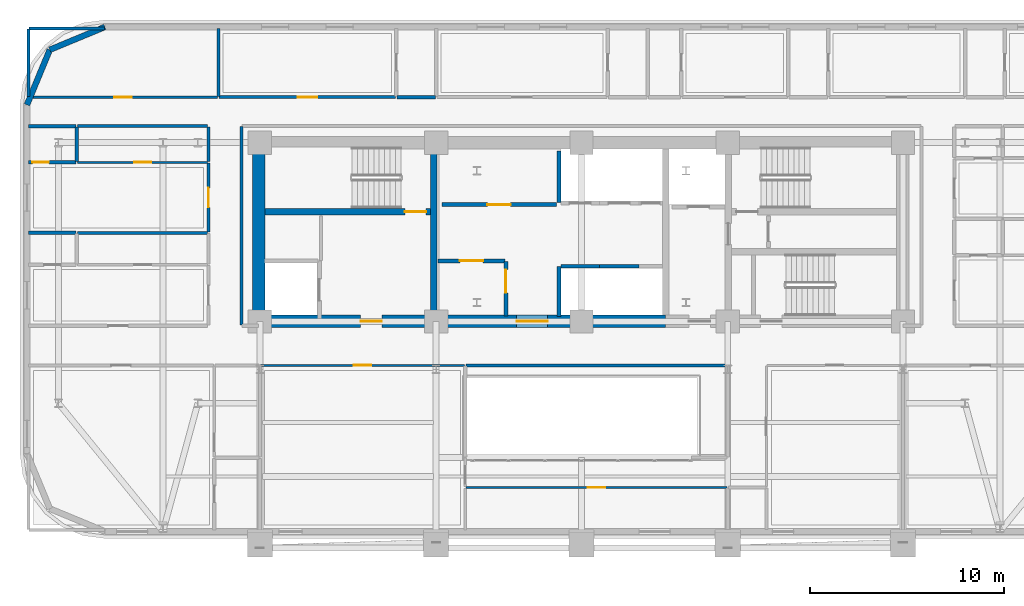
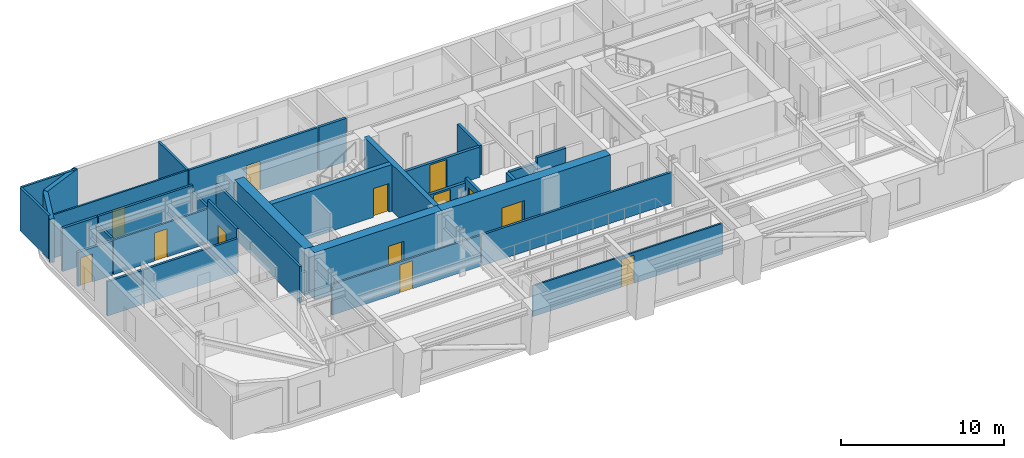
# One storey, part 8 of 14: 33 walls, 13 doors, 13 openings.
"""IFC4 building model written with IfcOpenShell, lengths in metres."""

from ifc_helpers import new_model, si_unit, direction, frame, frame_2d, origin, place, context, subcontext, project, spatial, rectangle, extrude, material, layer, layer_set, type_object, element, fill, save


model = new_model("IFC4")

# Units and contexts
model_context = context("Model", 3, precision=1e-05, world=origin(), true_north=direction((0.0, 1.0)))
body_context = subcontext(model_context, "Body", "Model", "MODEL_VIEW")
ifc_project = project(units=[si_unit("LENGTHUNIT", "METRE"), si_unit("AREAUNIT", "SQUARE_METRE"), si_unit("VOLUMEUNIT", "CUBIC_METRE"), si_unit("PLANEANGLEUNIT", "RADIAN"), si_unit("MASSUNIT", "GRAM", prefix="KILO")], contexts=[model_context])

# Site, building, storey
site_placement = place(None, origin())
site = spatial("IfcSite", under=ifc_project, at=site_placement, CompositionType="ELEMENT")
building_placement = place(site_placement, origin())
building = spatial("IfcBuilding", under=site, at=building_placement, Name="Zarnavel Station Tower", CompositionType="ELEMENT")
storey_placement = place(building_placement, frame((0.0, 0.0, 108.300048828125)))
storey = spatial("IfcBuildingStorey", under=building, at=storey_placement, Name="L29", CompositionType="ELEMENT", Elevation=108.300048828125)

# Wall
ifc_material_1 = material(Name="Concrete C50/60", Category="concrete")
ifc_layer_1 = layer(ifc_material_1, 0.35009765625)
ifc_layer_set_1 = layer_set([ifc_layer_1], Name="CW_350")
wall_type_1 = type_object("IfcWallType", Name="CW_350", PredefinedType="SHEAR", material=ifc_layer_set_1)
wall_1_placement = place(storey_placement, frame((21.179931640625, 28.14501953125, 0.0), z_axis=(0.0, 0.0, 1.0), x_axis=(0.0, 1.0, 0.0)))
element("IfcWall", 1, at=wall_1_placement, inside=storey, type_object=wall_type_1, Name="L29 Rear Core Shear Wall DIV-W", PredefinedType="SHEAR", context=body_context, shape_type="SweptSolid", body=[
    extrude(rectangle(XDim=8.580078125, YDim=0.35009765625, at=frame_2d((4.2900390625, 0.0))), origin(), (0.0, 0.0, 1.0), 3.5),
])

# Wall, opening, door
wall_2_placement = place(storey_placement, frame((21.0048828125, 33.47998046875, 0.0), z_axis=(0.0, 0.0, 1.0), x_axis=(-1.0, 0.0, 0.0)))
wall_2 = element("IfcWall", 2, at=wall_2_placement, inside=storey, type_object=wall_type_1, Name="L29 Rear Core Shear Wall DIV-H1", PredefinedType="SHEAR", context=body_context, shape_type="SweptSolid", body=[
    extrude(rectangle(XDim=8.52978515625, YDim=0.35009765625, at=frame_2d((4.264892578125, 0.0))), origin(), (0.0, 0.0, 1.0), 3.5),
])
opening_1_placement = place(wall_2_placement, frame((0.219970703125, 0.0, 0.0)))
opening_1 = element("IfcOpeningElement", 3, at=opening_1_placement, cuts=wall_2, Name="Opening FD01", PredefinedType="OPENING", context=body_context, shape_type="SweptSolid", body=[
    extrude(rectangle(XDim=1.10009765625, YDim=2.14990234375, at=frame_2d((0.550048828125, 1.074951171875))), frame((0.0, 0.18505859375, 0.0), z_axis=(0.0, -1.0, 0.0), x_axis=(1.0, 0.0, 0.0)), (0.0, 0.0, 1.0), 0.3701171875),
])
ifc_material_2 = material(Name="Painted Galvanised Steel and Hardwood Leaf", Category="steel")
door_type_1 = type_object("IfcDoorType", Name="ID_STAIR_1100", OperationType="NOTDEFINED", PredefinedType="DOOR", material=ifc_material_2)
door_1_placement = place(opening_1_placement, origin())
door_1 = element("IfcDoor", 4, at=door_1_placement, inside=storey, type_object=door_type_1, Name="L29 Stair ST1 Lobby Fire Door", OperationType="SINGLE_SWING_LEFT", OverallHeight=2.14990234375, OverallWidth=1.10009765625, PredefinedType="DOOR", context=body_context, shape_type="SweptSolid", body=[
    extrude(rectangle(XDim=1.10009765625, YDim=2.14990234375, at=frame_2d((0.550048828125, 1.074951171875))), frame((0.0, 0.02490234375, 0.0), z_axis=(0.0, -1.0, 0.0), x_axis=(1.0, 0.0, 0.0)), (0.0, 0.0, 1.0), 0.050048828125),
])
fill(opening_1, door_1)

ifc_material_3 = material(Name="Concrete C60/75", Category="concrete")
ifc_layer_2 = layer(ifc_material_3, 0.64990234375)
ifc_layer_set_2 = layer_set([ifc_layer_2], Name="CW_650")
wall_type_2 = type_object("IfcWallType", Name="CW_650", PredefinedType="SHEAR", material=ifc_layer_set_2)
wall_3_placement = place(storey_placement, frame((21.179931640625, 27.820068359375, 0.0), z_axis=(0.0, 0.0, 1.0), x_axis=(-1.0, 0.0, 0.0)))
wall_3 = element("IfcWall", 5, at=wall_3_placement, inside=storey, type_object=wall_type_2, Name="L29 Rear Core Shear Wall S-W", PredefinedType="SHEAR", context=body_context, shape_type="SweptSolid", body=[
    extrude(rectangle(XDim=9.030029296875, YDim=0.64990234375, at=frame_2d((4.51513671875, 0.0))), origin(), (0.0, 0.0, 1.0), 3.5),
])
opening_2_placement = place(wall_3_placement, frame((2.679931640625, 0.0, 0.0)))
opening_2 = element("IfcOpeningElement", 6, at=opening_2_placement, cuts=wall_3, Name="Opening FD01", PredefinedType="OPENING", context=body_context, shape_type="SweptSolid", body=[
    extrude(rectangle(XDim=1.10009765625, YDim=2.14990234375, at=frame_2d((0.550048828125, 1.074951171875))), frame((0.0, 0.3349609375, 0.0), z_axis=(0.0, -1.0, 0.0), x_axis=(1.0, 0.0, 0.0)), (0.0, 0.0, 1.0), 0.669921875),
])
door_2_placement = place(opening_2_placement, origin())
door_2 = element("IfcDoor", 7, at=door_2_placement, inside=storey, type_object=door_type_1, Name="L29 West Firefighting Lobby Door", OperationType="SINGLE_SWING_RIGHT", OverallHeight=2.14990234375, OverallWidth=1.10009765625, PredefinedType="DOOR", context=body_context, shape_type="SweptSolid", body=[
    extrude(rectangle(XDim=1.10009765625, YDim=2.14990234375, at=frame_2d((0.550048828125, 1.074951171875))), frame((0.0, 0.02490234375, 0.0), z_axis=(0.0, -1.0, 0.0), x_axis=(1.0, 0.0, 0.0)), (0.0, 0.0, 1.0), 0.050048828125),
])
fill(opening_2, door_2)

wall_4_placement = place(storey_placement, frame((33.14990234375, 27.820068359375, 0.0), z_axis=(0.0, 0.0, 1.0), x_axis=(-1.0, 0.0, 0.0)))
wall_4 = element("IfcWall", 8, at=wall_4_placement, inside=storey, type_object=wall_type_2, Name="L29 Rear Core Shear Wall S-M", PredefinedType="SHEAR", context=body_context, shape_type="SweptSolid", body=[
    extrude(rectangle(XDim=11.969970703125, YDim=0.64990234375, at=frame_2d((5.98486328125, 0.0))), origin(), (0.0, 0.0, 1.0), 3.5),
])
opening_3_placement = place(wall_4_placement, frame((6.10009765625, 0.0, 0.0)))
opening_3 = element("IfcOpeningElement", 9, at=opening_3_placement, cuts=wall_4, Name="Opening ID03", PredefinedType="OPENING", context=body_context, shape_type="SweptSolid", body=[
    extrude(rectangle(XDim=1.60009765625, YDim=2.199951171875, at=frame_2d((0.800048828125, 1.10009765625))), frame((0.0, 0.3349609375, 0.0), z_axis=(0.0, -1.0, 0.0), x_axis=(1.0, 0.0, 0.0)), (0.0, 0.0, 1.0), 0.669921875),
])
ifc_material_4 = material(Name="Painted Galvanised Steel and Hardwood Leaf", Category="steel")
door_type_2 = type_object("IfcDoorType", Name="ID_PUBLIC_1600", OperationType="DOUBLE_DOOR_SINGLE_SWING", PredefinedType="DOOR", material=ifc_material_4)
door_3_placement = place(opening_3_placement, origin())
door_3 = element("IfcDoor", 10, at=door_3_placement, inside=storey, type_object=door_type_2, Name="L29 Passenger Lift Lobby Double Door", OperationType="SINGLE_SWING_LEFT", OverallHeight=2.199951171875, OverallWidth=1.60009765625, PredefinedType="DOOR", context=body_context, shape_type="SweptSolid", body=[
    extrude(rectangle(XDim=1.60009765625, YDim=2.199951171875, at=frame_2d((0.800048828125, 1.10009765625))), frame((0.0, 0.02490234375, 0.0), z_axis=(0.0, -1.0, 0.0), x_axis=(1.0, 0.0, 0.0)), (0.0, 0.0, 1.0), 0.050048828125),
])
fill(opening_3, door_3)

# Walls
wall_5_placement = place(storey_placement, frame((12.14990234375, 28.14501953125, 0.0), z_axis=(0.0, 0.0, 1.0), x_axis=(0.0, 1.0, 0.0)))
element("IfcWall", 11, at=wall_5_placement, inside=storey, type_object=wall_type_2, Name="L29 Rear Core Shear Wall W", PredefinedType="SHEAR", context=body_context, shape_type="SweptSolid", body=[
    extrude(rectangle(XDim=8.580078125, YDim=0.64990234375, at=frame_2d((4.2900390625, 0.0))), origin(), (0.0, 0.0, 1.0), 3.5),
])
ifc_material_5 = material(Name="Precast concrete C45/55 (Dark Basalt Finish)", Category="masonry")
ifc_layer_3 = layer(ifc_material_5, 0.300048828125)
ifc_layer_set_3 = layer_set([ifc_layer_3], Name="EW_BASALT_300")
wall_type_3 = type_object("IfcWallType", Name="EW_BASALT_300", PredefinedType="SOLIDWALL", material=ifc_layer_set_3)
for number, where, z_axis, x_axis, name in (
    (12, (1.357421875, 41.842529296875, 0.0), (0.0, 0.0, 1.0), (0.923870793506, 0.382704529509, 0.0), "L29 Exterior Basalt Masonry Frame Wall 07"),
    (13, (0.179931640625, 39.0, 0.0), (0.0, 0.0, 1.0), (0.382704529509, 0.923870793506, 0.0), "L29 Exterior Basalt Masonry Frame Wall 08"),
):
    element("IfcWall", number, at=place(storey_placement, frame(where, z_axis=z_axis, x_axis=x_axis)), inside=storey, type_object=wall_type_3, Name=name, PredefinedType="SOLIDWALL", context=body_context, shape_type="SweptSolid", body=[
        extrude(rectangle(XDim=3.07666015625, YDim=0.300048828125, at=frame_2d((1.538330078125, 0.0))), origin(), (0.0, 0.0, 1.0), 3.239990234375),
    ])

# Wall, opening, door
ifc_material_6 = material(Name="Gypsum Twin-Stud Acoustic Fire Partition", Category="concrete")
ifc_layer_4 = layer(ifc_material_6, 0.159912109375)
ifc_layer_set_4 = layer_set([ifc_layer_4], Name="PT_DEMISE_160")
wall_type_4 = type_object("IfcWallType", Name="PT_DEMISE_160", PredefinedType="PARTITIONING", material=ifc_layer_set_4)
wall_6_placement = place(storey_placement, frame((9.550048828125, 32.430908203125, 0.0), z_axis=(0.0, 0.0, 1.0), x_axis=(0.0, 1.0, 0.0)))
wall_6 = element("IfcWall", 14, at=wall_6_placement, inside=storey, type_object=wall_type_4, Name="L29 Partition COR-W-FNW2R", PredefinedType="PARTITIONING", context=body_context, shape_type="SweptSolid", body=[
    extrude(rectangle(XDim=3.55615234375, YDim=0.159912109375, at=frame_2d((1.778076171875, 0.0))), origin(), (0.0, 0.0, 1.0), 3.239990234375),
])
opening_4_placement = place(wall_6_placement, frame((1.278076171875, 0.0, 0.0)))
opening_4 = element("IfcOpeningElement", 15, at=opening_4_placement, cuts=wall_6, Name="Opening FD02", PredefinedType="OPENING", context=body_context, shape_type="SweptSolid", body=[
    extrude(rectangle(XDim=1.0, YDim=2.14990234375, at=frame_2d((0.5, 1.074951171875))), frame((0.0, 0.08984375, 0.0), z_axis=(0.0, -1.0, 0.0), x_axis=(1.0, 0.0, 0.0)), (0.0, 0.0, 1.0), 0.179931640625),
])
ifc_material_7 = material(Name="Painted Galvanised Steel and Hardwood Leaf", Category="steel")
door_type_3 = type_object("IfcDoorType", Name="ID_ENTRY_1000", OperationType="NOTDEFINED", PredefinedType="DOOR", material=ifc_material_7)
door_4_placement = place(opening_4_placement, origin())
door_4 = element("IfcDoor", 16, at=door_4_placement, inside=storey, type_object=door_type_3, Name="L29 Door COR-W-FNW2R", OperationType="SINGLE_SWING_LEFT", OverallHeight=2.14990234375, OverallWidth=1.0, PredefinedType="DOOR", context=body_context, shape_type="SweptSolid", body=[
    extrude(rectangle(XDim=1.0, YDim=2.14990234375, at=frame_2d((0.5, 1.074951171875))), frame((0.0, 0.02490234375, 0.0), z_axis=(0.0, -1.0, 0.0), x_axis=(1.0, 0.0, 0.0)), (0.0, 0.0, 1.0), 0.050048828125),
])
fill(opening_4, door_4)

# Walls
wall_7_placement = place(storey_placement, frame((9.550048828125, 36.06689453125, 0.0), z_axis=(0.0, 0.0, 1.0), x_axis=(0.0, 1.0, 0.0)))
element("IfcWall", 17, at=wall_7_placement, inside=storey, type_object=wall_type_4, Name="L29 Partition COR-W-FNW2S", PredefinedType="PARTITIONING", context=body_context, shape_type="SweptSolid", body=[
    extrude(rectangle(XDim=1.793212890625, YDim=0.159912109375, at=frame_2d((0.896484375, 0.0))), origin(), (0.0, 0.0, 1.0), 2.719970703125),
])
wall_8_placement = place(storey_placement, frame((2.800048828125, 37.89990234375, 0.0), z_axis=(0.0, 0.0, 1.0), x_axis=(1.0, 0.0, 0.0)))
element("IfcWall", 18, at=wall_8_placement, inside=storey, type_object=wall_type_4, Name="L29 Partition COR-N-FNW2S", PredefinedType="PARTITIONING", context=body_context, shape_type="SweptSolid", body=[
    extrude(rectangle(XDim=6.7099609375, YDim=0.159912109375, at=frame_2d((3.35498046875, 0.0))), origin(), (0.0, 0.0, 1.0), 3.239990234375),
])

# Wall, opening, door
wall_9_placement = place(storey_placement, frame((10.10009765625, 39.39990234375, 0.0), z_axis=(0.0, 0.0, 1.0), x_axis=(1.0, 0.0, 0.0)))
wall_9 = element("IfcWall", 19, at=wall_9_placement, inside=storey, type_object=wall_type_4, Name="L29 Partition COR-N-HN1R", PredefinedType="PARTITIONING", context=body_context, shape_type="SweptSolid", body=[
    extrude(rectangle(XDim=9.10986328125, YDim=0.159912109375, at=frame_2d((4.554931640625, 0.0))), origin(), (0.0, 0.0, 1.0), 3.239990234375),
])
opening_5_placement = place(wall_9_placement, frame((4.054931640625, 0.0, 0.0)))
opening_5 = element("IfcOpeningElement", 20, at=opening_5_placement, cuts=wall_9, Name="Opening FD02", PredefinedType="OPENING", context=body_context, shape_type="SweptSolid", body=[
    extrude(rectangle(XDim=1.0, YDim=2.14990234375, at=frame_2d((0.5, 1.074951171875))), frame((0.0, 0.08984375, 0.0), z_axis=(0.0, -1.0, 0.0), x_axis=(1.0, 0.0, 0.0)), (0.0, 0.0, 1.0), 0.179931640625),
])
door_5_placement = place(opening_5_placement, origin())
door_5 = element("IfcDoor", 21, at=door_5_placement, inside=storey, type_object=door_type_3, Name="L29 Door COR-N-HN1R", OperationType="SINGLE_SWING_LEFT", OverallHeight=2.14990234375, OverallWidth=1.0, PredefinedType="DOOR", context=body_context, shape_type="SweptSolid", body=[
    extrude(rectangle(XDim=1.0, YDim=2.14990234375, at=frame_2d((0.5, 1.074951171875))), frame((0.0, 0.02490234375, 0.0), z_axis=(0.0, -1.0, 0.0), x_axis=(1.0, 0.0, 0.0)), (0.0, 0.0, 1.0), 0.050048828125),
])
fill(opening_5, door_5)

# Walls
wall_10_placement = place(storey_placement, frame((2.800048828125, 32.39111328125, 0.0), z_axis=(0.0, 0.0, 1.0), x_axis=(1.0, 0.0, 0.0)))
element("IfcWall", 22, at=wall_10_placement, inside=storey, type_object=wall_type_4, Name="L29 Partition FNW1S-FNW2R", PredefinedType="PARTITIONING", context=body_context, shape_type="SweptSolid", body=[
    extrude(rectangle(XDim=6.7099609375, YDim=0.159912109375, at=frame_2d((3.35498046875, 0.0))), origin(), (0.0, 0.0, 1.0), 2.570068359375),
])
wall_11_placement = place(storey_placement, frame((10.06005859375, 39.43994140625, 0.0), z_axis=(0.0, 0.0, 1.0), x_axis=(0.0, 1.0, 0.0)))
element("IfcWall", 23, at=wall_11_placement, inside=storey, type_object=wall_type_4, Name="L29 Partition HSKP-HN1R", PredefinedType="PARTITIONING", context=body_context, shape_type="SweptSolid", body=[
    extrude(rectangle(XDim=3.5, YDim=0.159912109375, at=frame_2d((1.75, 0.0))), origin(), (0.0, 0.0, 1.0), 3.239990234375),
])
wall_12_placement = place(storey_placement, frame((22.830078125, 25.550048828125, 0.0), z_axis=(0.0, 0.0, 1.0), x_axis=(1.0, 0.0, 0.0)))
element("IfcWall", 24, at=wall_12_placement, inside=storey, type_object=wall_type_4, Name="L29 Enclosure Wall COR-S", PredefinedType="PARTITIONING", context=body_context, shape_type="SweptSolid", body=[
    extrude(rectangle(XDim=13.489990234375, YDim=0.159912109375, at=frame_2d((6.7451171875, 0.0))), origin(), (0.0, 0.0, 1.0), 2.31005859375),
])
wall_13_placement = place(storey_placement, frame((11.25, 27.6298828125, 0.0), z_axis=(0.0, 0.0, 1.0), x_axis=(0.0, 1.0, 0.0)))
element("IfcWall", 25, at=wall_13_placement, inside=storey, type_object=wall_type_4, Name="L29 Enclosure Wall COR-W", PredefinedType="PARTITIONING", context=body_context, shape_type="SweptSolid", body=[
    extrude(rectangle(XDim=10.240234375, YDim=0.159912109375, at=frame_2d((5.1201171875, 0.0))), origin(), (0.0, 0.0, 1.0), 2.719970703125),
])
wall_14_placement = place(storey_placement, frame((0.2900390625, 42.93994140625, 0.0), z_axis=(0.0, 0.0, 1.0), x_axis=(1.0, 0.0, 0.0)))
element("IfcWall", 26, at=wall_14_placement, inside=storey, type_object=wall_type_4, Name="L29 Enclosure Wall HSKP", PredefinedType="PARTITIONING", context=body_context, shape_type="SweptSolid", body=[
    extrude(rectangle(XDim=3.8798828125, YDim=0.159912109375, at=frame_2d((1.93994140625, 0.0))), origin(), (0.0, 0.0, 1.0), 3.239990234375),
])
wall_15_placement = place(storey_placement, frame((0.260009765625, 39.429931640625, 0.0), z_axis=(0.0, 0.0, 1.0), x_axis=(0.0, 1.0, 0.0)))
element("IfcWall", 27, at=wall_15_placement, inside=storey, type_object=wall_type_4, Name="L29 Enclosure Wall HSKP", PredefinedType="PARTITIONING", context=body_context, shape_type="SweptSolid", body=[
    extrude(rectangle(XDim=3.47998046875, YDim=0.159912109375, at=frame_2d((1.739990234375, 0.0))), origin(), (0.0, 0.0, 1.0), 3.239990234375),
])

# Wall, opening, door
ifc_material_8 = material(Name="Gypsum Metal-Stud Interior Partition", Category="concrete")
ifc_layer_5 = layer(ifc_material_8, 0.1201171875)
ifc_layer_set_5 = layer_set([ifc_layer_5], Name="PT_ROOM_120")
wall_type_5 = type_object("IfcWallType", Name="PT_ROOM_120", PredefinedType="PARTITIONING", material=ifc_layer_set_5)
wall_16_placement = place(storey_placement, frame((12.239990234375, 25.550048828125, 0.0), z_axis=(0.0, 0.0, 1.0), x_axis=(1.0, 0.0, 0.0)))
wall_16 = element("IfcWall", 28, at=wall_16_placement, inside=storey, type_object=wall_type_5, Name="L29 Partition COR-S-L29STD", PredefinedType="PARTITIONING", context=body_context, shape_type="SweptSolid", body=[
    extrude(rectangle(XDim=10.52001953125, YDim=0.1201171875, at=frame_2d((5.260009765625, 0.0))), origin(), (0.0, 0.0, 1.0), 2.31005859375),
])
opening_6_placement = place(wall_16_placement, frame((4.81005859375, 0.0, 0.0)))
opening_6 = element("IfcOpeningElement", 29, at=opening_6_placement, cuts=wall_16, Name="Opening ID01", PredefinedType="OPENING", context=body_context, shape_type="SweptSolid", body=[
    extrude(rectangle(XDim=0.89990234375, YDim=2.10009765625, at=frame_2d((0.449951171875, 1.050048828125))), frame((0.0, 0.070068359375, 0.0), z_axis=(0.0, -1.0, 0.0), x_axis=(1.0, 0.0, 0.0)), (0.0, 0.0, 1.0), 0.14013671875),
])
ifc_material_9 = material(Name="Painted Galvanised Steel and Hardwood Leaf", Category="steel")
door_type_4 = type_object("IfcDoorType", Name="ID_ROOM_900", OperationType="NOTDEFINED", PredefinedType="DOOR", material=ifc_material_9)
door_6_placement = place(opening_6_placement, origin())
door_6 = element("IfcDoor", 30, at=door_6_placement, inside=storey, type_object=door_type_4, Name="L29 Door COR-S-L29STD", OperationType="SINGLE_SWING_RIGHT", OverallHeight=2.10009765625, OverallWidth=0.89990234375, PredefinedType="DOOR", context=body_context, shape_type="SweptSolid", body=[
    extrude(rectangle(XDim=0.89990234375, YDim=2.10009765625, at=frame_2d((0.449951171875, 1.050048828125))), frame((0.0, 0.02490234375, 0.0), z_axis=(0.0, -1.0, 0.0), x_axis=(1.0, 0.0, 0.0)), (0.0, 0.0, 1.0), 0.050048828125),
])
fill(opening_6, door_6)

wall_17_placement = place(storey_placement, frame((0.260009765625, 39.39990234375, 0.0), z_axis=(0.0, 0.0, 1.0), x_axis=(1.0, 0.0, 0.0)))
wall_17 = element("IfcWall", 31, at=wall_17_placement, inside=storey, type_object=wall_type_5, Name="L29 Partition COR-N-HSKP", PredefinedType="PARTITIONING", context=body_context, shape_type="SweptSolid", body=[
    extrude(rectangle(XDim=9.760009765625, YDim=0.1201171875, at=frame_2d((4.8798828125, 0.0))), origin(), (0.0, 0.0, 1.0), 3.239990234375),
])
opening_7_placement = place(wall_17_placement, frame((4.429931640625, 0.0, 0.0)))
opening_7 = element("IfcOpeningElement", 32, at=opening_7_placement, cuts=wall_17, Name="Opening ID01", PredefinedType="OPENING", context=body_context, shape_type="SweptSolid", body=[
    extrude(rectangle(XDim=0.89990234375, YDim=2.10009765625, at=frame_2d((0.449951171875, 1.050048828125))), frame((0.0, 0.070068359375, 0.0), z_axis=(0.0, -1.0, 0.0), x_axis=(1.0, 0.0, 0.0)), (0.0, 0.0, 1.0), 0.14013671875),
])
door_7_placement = place(opening_7_placement, origin())
door_7 = element("IfcDoor", 33, at=door_7_placement, inside=storey, type_object=door_type_4, Name="L29 Door COR-N-HSKP", OperationType="SINGLE_SWING_RIGHT", OverallHeight=2.10009765625, OverallWidth=0.89990234375, PredefinedType="DOOR", context=body_context, shape_type="SweptSolid", body=[
    extrude(rectangle(XDim=0.89990234375, YDim=2.10009765625, at=frame_2d((0.449951171875, 1.050048828125))), frame((0.0, 0.02490234375, 0.0), z_axis=(0.0, -1.0, 0.0), x_axis=(1.0, 0.0, 0.0)), (0.0, 0.0, 1.0), 0.050048828125),
])
fill(opening_7, door_7)

wall_18_placement = place(storey_placement, frame((22.840087890625, 19.25, 0.0), z_axis=(0.0, 0.0, 1.0), x_axis=(1.0, 0.0, 0.0)))
wall_18 = element("IfcWall", 34, at=wall_18_placement, inside=storey, type_object=wall_type_5, Name="L29 Partition COR-AS-L29GYM", PredefinedType="PARTITIONING", context=body_context, shape_type="SweptSolid", body=[
    extrude(rectangle(XDim=13.469970703125, YDim=0.1201171875, at=frame_2d((6.73486328125, 0.0))), origin(), (0.0, 0.0, 1.0), 2.31005859375),
])
opening_8_placement = place(wall_18_placement, frame((6.284912109375, 0.0, 0.0)))
opening_8 = element("IfcOpeningElement", 35, at=opening_8_placement, cuts=wall_18, Name="Opening ID01", PredefinedType="OPENING", context=body_context, shape_type="SweptSolid", body=[
    extrude(rectangle(XDim=0.89990234375, YDim=2.10009765625, at=frame_2d((0.449951171875, 1.050048828125))), frame((0.0, 0.070068359375, 0.0), z_axis=(0.0, -1.0, 0.0), x_axis=(1.0, 0.0, 0.0)), (0.0, 0.0, 1.0), 0.14013671875),
])
door_8_placement = place(opening_8_placement, origin())
door_8 = element("IfcDoor", 36, at=door_8_placement, inside=storey, type_object=door_type_4, Name="L29 Door COR-AS-L29GYM", OperationType="SINGLE_SWING_RIGHT", OverallHeight=2.10009765625, OverallWidth=0.89990234375, PredefinedType="DOOR", context=body_context, shape_type="SweptSolid", body=[
    extrude(rectangle(XDim=0.89990234375, YDim=2.10009765625, at=frame_2d((0.449951171875, 1.050048828125))), frame((0.0, 0.02490234375, 0.0), z_axis=(0.0, -1.0, 0.0), x_axis=(1.0, 0.0, 0.0)), (0.0, 0.0, 1.0), 0.050048828125),
])
fill(opening_8, door_8)

wall_19_placement = place(storey_placement, frame((2.800048828125, 36.027099609375, 0.0), z_axis=(0.0, 0.0, 1.0), x_axis=(1.0, 0.0, 0.0)))
wall_19 = element("IfcWall", 37, at=wall_19_placement, inside=storey, type_object=wall_type_5, Name="L29 Partition FNW2R-FNW2S", PredefinedType="PARTITIONING", context=body_context, shape_type="SweptSolid", body=[
    extrude(rectangle(XDim=6.7099609375, YDim=0.1201171875, at=frame_2d((3.35498046875, 0.0))), origin(), (0.0, 0.0, 1.0), 2.570068359375),
])
opening_9_placement = place(wall_19_placement, frame((2.905029296875, 0.0, 0.0)))
opening_9 = element("IfcOpeningElement", 38, at=opening_9_placement, cuts=wall_19, Name="Opening ID01", PredefinedType="OPENING", context=body_context, shape_type="SweptSolid", body=[
    extrude(rectangle(XDim=0.89990234375, YDim=2.10009765625, at=frame_2d((0.449951171875, 1.050048828125))), frame((0.0, 0.070068359375, 0.0), z_axis=(0.0, -1.0, 0.0), x_axis=(1.0, 0.0, 0.0)), (0.0, 0.0, 1.0), 0.14013671875),
])
door_9_placement = place(opening_9_placement, origin())
door_9 = element("IfcDoor", 39, at=door_9_placement, inside=storey, type_object=door_type_4, Name="L29 Door FNW2R-FNW2S", OperationType="SINGLE_SWING_RIGHT", OverallHeight=2.10009765625, OverallWidth=0.89990234375, PredefinedType="DOOR", context=body_context, shape_type="SweptSolid", body=[
    extrude(rectangle(XDim=0.89990234375, YDim=2.10009765625, at=frame_2d((0.449951171875, 1.050048828125))), frame((0.0, 0.02490234375, 0.0), z_axis=(0.0, -1.0, 0.0), x_axis=(1.0, 0.0, 0.0)), (0.0, 0.0, 1.0), 0.050048828125),
])
fill(opening_9, door_9)

# Walls
ifc_material_10 = material(Name="Precast concrete C45/55 (Fire Shaft Blockwork)", Category="masonry")
ifc_layer_6 = layer(ifc_material_10, 0.199951171875)
ifc_layer_set_6 = layer_set([ifc_layer_6], Name="PT_SHAFT_200")
wall_type_6 = type_object("IfcWallType", Name="PT_SHAFT_200", PredefinedType="PARTITIONING", material=ifc_layer_set_6)
wall_20_placement = place(storey_placement, frame((27.75, 30.669921875, 0.0), z_axis=(0.0, 0.0, 1.0), x_axis=(1.0, 0.0, 0.0)))
element("IfcWall", 40, at=wall_20_placement, inside=storey, type_object=wall_type_6, Name="L29 Lift PL-H1 Shaft Front Wall", PredefinedType="PARTITIONING", context=body_context, shape_type="SweptSolid", body=[
    extrude(rectangle(XDim=1.97509765625, YDim=0.199951171875, at=frame_2d((0.987548828125, 0.0))), origin(), (0.0, 0.0, 1.0), 2.2119140625),
])
wall_21_placement = place(storey_placement, frame((27.64990234375, 28.070068359375, 0.0), z_axis=(0.0, 0.0, 1.0), x_axis=(0.0, 1.0, 0.0)))
element("IfcWall", 41, at=wall_21_placement, inside=storey, type_object=wall_type_6, Name="L29 High-Rise Lift Bank West Shaft Wall", PredefinedType="PARTITIONING", context=body_context, shape_type="SweptSolid", body=[
    extrude(rectangle(XDim=2.579833984375, YDim=0.199951171875, at=frame_2d((1.2900390625, 0.0))), origin(), (0.0, 0.0, 1.0), 2.2119140625),
])
wall_22_placement = place(storey_placement, frame((29.72509765625, 30.669921875, 0.0), z_axis=(0.0, 0.0, 1.0), x_axis=(1.0, 0.0, 0.0)))
element("IfcWall", 42, at=wall_22_placement, inside=storey, type_object=wall_type_6, Name="L29 Lift PL-H2 Shaft Front Wall", PredefinedType="PARTITIONING", context=body_context, shape_type="SweptSolid", body=[
    extrude(rectangle(XDim=2.0498046875, YDim=0.199951171875, at=frame_2d((1.02490234375, 0.0))), origin(), (0.0, 0.0, 1.0), 2.619873046875),
])
wall_23_placement = place(storey_placement, frame((27.64990234375, 33.949951171875, 0.0), z_axis=(0.0, 0.0, 1.0), x_axis=(0.0, 1.0, 0.0)))
element("IfcWall", 43, at=wall_23_placement, inside=storey, type_object=wall_type_6, Name="L29 Mid-Rise Lift Bank West Shaft Wall", PredefinedType="PARTITIONING", context=body_context, shape_type="SweptSolid", body=[
    extrude(rectangle(XDim=2.679931640625, YDim=0.199951171875, at=frame_2d((1.33984375, 0.0))), origin(), (0.0, 0.0, 1.0), 2.2119140625),
])

# Wall, opening, door
wall_24_placement = place(storey_placement, frame((21.39990234375, 30.949951171875, 0.0), z_axis=(0.0, 0.0, 1.0), x_axis=(1.0, 0.0, 0.0)))
wall_24 = element("IfcWall", 44, at=wall_24_placement, inside=storey, type_object=wall_type_6, Name="L29 Partition LLOB-CS1", PredefinedType="PARTITIONING", context=body_context, shape_type="SweptSolid", body=[
    extrude(rectangle(XDim=3.460205078125, YDim=0.199951171875, at=frame_2d((1.72998046875, 0.0))), origin(), (0.0, 0.0, 1.0), 2.280029296875),
])
opening_10_placement = place(wall_24_placement, frame((1.1298828125, 0.0, 0.0)))
opening_10 = element("IfcOpeningElement", 45, at=opening_10_placement, cuts=wall_24, Name="Opening FD03", PredefinedType="OPENING", context=body_context, shape_type="SweptSolid", body=[
    extrude(rectangle(XDim=1.199951171875, YDim=2.14990234375, at=frame_2d((0.60009765625, 1.074951171875))), frame((0.0, 0.10986328125, 0.0), z_axis=(0.0, -1.0, 0.0), x_axis=(1.0, 0.0, 0.0)), (0.0, 0.0, 1.0), 0.219970703125),
])
ifc_material_11 = material(Name="Painted Galvanised Steel and Hardwood Leaf", Category="steel")
door_type_5 = type_object("IfcDoorType", Name="ID_PLANT_1200", OperationType="NOTDEFINED", PredefinedType="DOOR", material=ifc_material_11)
door_10_placement = place(opening_10_placement, origin())
door_10 = element("IfcDoor", 46, at=door_10_placement, inside=storey, type_object=door_type_5, Name="L29 Door LLOB-CS1", OperationType="SINGLE_SWING_RIGHT", OverallHeight=2.14990234375, OverallWidth=1.199951171875, PredefinedType="DOOR", context=body_context, shape_type="SweptSolid", body=[
    extrude(rectangle(XDim=1.199951171875, YDim=2.14990234375, at=frame_2d((0.60009765625, 1.074951171875))), frame((0.0, 0.02490234375, 0.0), z_axis=(0.0, -1.0, 0.0), x_axis=(1.0, 0.0, 0.0)), (0.0, 0.0, 1.0), 0.050048828125),
])
fill(opening_10, door_10)

wall_25_placement = place(storey_placement, frame((21.590087890625, 33.85009765625, 0.0), z_axis=(0.0, 0.0, 1.0), x_axis=(1.0, 0.0, 0.0)))
wall_25 = element("IfcWall", 47, at=wall_25_placement, inside=storey, type_object=wall_type_6, Name="L29 Partition LLOB-FB1A", PredefinedType="PARTITIONING", context=body_context, shape_type="SweptSolid", body=[
    extrude(rectangle(XDim=5.919921875, YDim=0.199951171875, at=frame_2d((2.9599609375, 0.0))), origin(), (0.0, 0.0, 1.0), 2.280029296875),
])
opening_11_placement = place(wall_25_placement, frame((2.360107421875, 0.0, 0.0)))
opening_11 = element("IfcOpeningElement", 48, at=opening_11_placement, cuts=wall_25, Name="Opening FD03", PredefinedType="OPENING", context=body_context, shape_type="SweptSolid", body=[
    extrude(rectangle(XDim=1.199951171875, YDim=2.14990234375, at=frame_2d((0.60009765625, 1.074951171875))), frame((0.0, 0.10986328125, 0.0), z_axis=(0.0, -1.0, 0.0), x_axis=(1.0, 0.0, 0.0)), (0.0, 0.0, 1.0), 0.219970703125),
])
door_11_placement = place(opening_11_placement, origin())
door_11 = element("IfcDoor", 49, at=door_11_placement, inside=storey, type_object=door_type_5, Name="L29 Door LLOB-FB1A", OperationType="SINGLE_SWING_LEFT", OverallHeight=2.14990234375, OverallWidth=1.199951171875, PredefinedType="DOOR", context=body_context, shape_type="SweptSolid", body=[
    extrude(rectangle(XDim=1.199951171875, YDim=2.14990234375, at=frame_2d((0.60009765625, 1.074951171875))), frame((0.0, 0.02490234375, 0.0), z_axis=(0.0, -1.0, 0.0), x_axis=(1.0, 0.0, 0.0)), (0.0, 0.0, 1.0), 0.050048828125),
])
fill(opening_11, door_11)

wall_26_placement = place(storey_placement, frame((24.89990234375, 28.090087890625, 0.0), z_axis=(0.0, 0.0, 1.0), x_axis=(0.0, 1.0, 0.0)))
wall_26 = element("IfcWall", 50, at=wall_26_placement, inside=storey, type_object=wall_type_6, Name="L29 Partition LLOBS-CS1", PredefinedType="PARTITIONING", context=body_context, shape_type="SweptSolid", body=[
    extrude(rectangle(XDim=2.81982421875, YDim=0.199951171875, at=frame_2d((1.409912109375, 0.0))), origin(), (0.0, 0.0, 1.0), 2.619873046875),
])
opening_12_placement = place(wall_26_placement, frame((1.20068359375, 0.0, 0.0)))
opening_12 = element("IfcOpeningElement", 51, at=opening_12_placement, cuts=wall_26, Name="Opening FD03", PredefinedType="OPENING", context=body_context, shape_type="SweptSolid", body=[
    extrude(rectangle(XDim=1.199951171875, YDim=2.14990234375, at=frame_2d((0.60009765625, 1.074951171875))), frame((0.0, 0.10986328125, 0.0), z_axis=(0.0, -1.0, 0.0), x_axis=(1.0, 0.0, 0.0)), (0.0, 0.0, 1.0), 0.219970703125),
])
door_12_placement = place(opening_12_placement, origin())
door_12 = element("IfcDoor", 52, at=door_12_placement, inside=storey, type_object=door_type_5, Name="L29 Door LLOBS-CS1", OperationType="SINGLE_SWING_RIGHT", OverallHeight=2.14990234375, OverallWidth=1.199951171875, PredefinedType="DOOR", context=body_context, shape_type="SweptSolid", body=[
    extrude(rectangle(XDim=1.199951171875, YDim=2.14990234375, at=frame_2d((0.60009765625, 1.074951171875))), frame((0.0, 0.02490234375, 0.0), z_axis=(0.0, -1.0, 0.0), x_axis=(1.0, 0.0, 0.0)), (0.0, 0.0, 1.0), 0.050048828125),
])
fill(opening_12, door_12)

# Walls
ifc_material_12 = material(Name="Moisture-Resistant Plumbing Chase Wall", Category="concrete")
ifc_layer_7 = layer(ifc_material_12, 0.179931640625)
ifc_layer_set_7 = layer_set([ifc_layer_7], Name="PW_PLUMB_180")
wall_type_7 = type_object("IfcWallType", Name="PW_PLUMB_180", PredefinedType="PLUMBINGWALL", material=ifc_layer_set_7)
wall_27_placement = place(storey_placement, frame((0.260009765625, 37.89990234375, 0.0), z_axis=(0.0, 0.0, 1.0), x_axis=(1.0, 0.0, 0.0)))
element("IfcWall", 53, at=wall_27_placement, inside=storey, type_object=wall_type_7, Name="L29 Partition COR-N-FNW2B", PredefinedType="PLUMBINGWALL", context=body_context, shape_type="SweptSolid", body=[
    extrude(rectangle(XDim=2.4599609375, YDim=0.179931640625, at=frame_2d((1.22998046875, 0.0))), origin(), (0.0, 0.0, 1.0), 3.239990234375),
])
wall_28_placement = place(storey_placement, frame((19.2900390625, 39.39990234375, 0.0), z_axis=(0.0, 0.0, 1.0), x_axis=(1.0, 0.0, 0.0)))
element("IfcWall", 54, at=wall_28_placement, inside=storey, type_object=wall_type_7, Name="L29 Partition COR-N-HN1B", PredefinedType="PLUMBINGWALL", context=body_context, shape_type="SweptSolid", body=[
    extrude(rectangle(XDim=1.969970703125, YDim=0.179931640625, at=frame_2d((0.98486328125, 0.0))), origin(), (0.0, 0.0, 1.0), 3.239990234375),
])
wall_29_placement = place(storey_placement, frame((0.260009765625, 32.39111328125, 0.0), z_axis=(0.0, 0.0, 1.0), x_axis=(1.0, 0.0, 0.0)))
element("IfcWall", 55, at=wall_29_placement, inside=storey, type_object=wall_type_7, Name="L29 Partition FNW1B-FNW2R", PredefinedType="PLUMBINGWALL", context=body_context, shape_type="SweptSolid", body=[
    extrude(rectangle(XDim=2.4599609375, YDim=0.179931640625, at=frame_2d((1.22998046875, 0.0))), origin(), (0.0, 0.0, 1.0), 2.570068359375),
])

# Wall, opening, door
wall_30_placement = place(storey_placement, frame((0.260009765625, 36.027099609375, 0.0), z_axis=(0.0, 0.0, 1.0), x_axis=(1.0, 0.0, 0.0)))
wall_30 = element("IfcWall", 56, at=wall_30_placement, inside=storey, type_object=wall_type_7, Name="L29 Partition FNW2R-FNW2B", PredefinedType="PLUMBINGWALL", context=body_context, shape_type="SweptSolid", body=[
    extrude(rectangle(XDim=2.4599609375, YDim=0.179931640625, at=frame_2d((1.22998046875, 0.0))), origin(), (0.0, 0.0, 1.0), 2.570068359375),
])
opening_13_placement = place(wall_30_placement, frame((0.1953125, 0.0, 0.0)))
opening_13 = element("IfcOpeningElement", 57, at=opening_13_placement, cuts=wall_30, Name="Opening ID02", PredefinedType="OPENING", context=body_context, shape_type="SweptSolid", body=[
    extrude(rectangle(XDim=0.85009765625, YDim=2.10009765625, at=frame_2d((0.425048828125, 1.050048828125))), frame((0.0, 0.099853515625, 0.0), z_axis=(0.0, -1.0, 0.0), x_axis=(1.0, 0.0, 0.0)), (0.0, 0.0, 1.0), 0.199951171875),
])
ifc_material_13 = material(Name="Painted Galvanised Steel and Hardwood Leaf", Category="steel")
door_type_6 = type_object("IfcDoorType", Name="ID_BATH_850", OperationType="NOTDEFINED", PredefinedType="DOOR", material=ifc_material_13)
door_13_placement = place(opening_13_placement, origin())
door_13 = element("IfcDoor", 58, at=door_13_placement, inside=storey, type_object=door_type_6, Name="L29 Door FNW2R-FNW2B", OperationType="SINGLE_SWING_LEFT", OverallHeight=2.10009765625, OverallWidth=0.85009765625, PredefinedType="DOOR", context=body_context, shape_type="SweptSolid", body=[
    extrude(rectangle(XDim=0.85009765625, YDim=2.10009765625, at=frame_2d((0.425048828125, 1.050048828125))), frame((0.0, 0.02490234375, 0.0), z_axis=(0.0, -1.0, 0.0), x_axis=(1.0, 0.0, 0.0)), (0.0, 0.0, 1.0), 0.050048828125),
])
fill(opening_13, door_13)

# Wall
wall_31_placement = place(storey_placement, frame((2.760009765625, 36.06689453125, 0.0), z_axis=(0.0, 0.0, 1.0), x_axis=(0.0, 1.0, 0.0)))
element("IfcWall", 59, at=wall_31_placement, inside=storey, type_object=wall_type_7, Name="L29 Partition FNW2B-FNW2S", PredefinedType="PLUMBINGWALL", context=body_context, shape_type="SweptSolid", body=[
    extrude(rectangle(XDim=1.793212890625, YDim=0.179931640625, at=frame_2d((0.896484375, 0.0))), origin(), (0.0, 0.0, 1.0), 2.719970703125),
])

save(model, "model.ifc")
